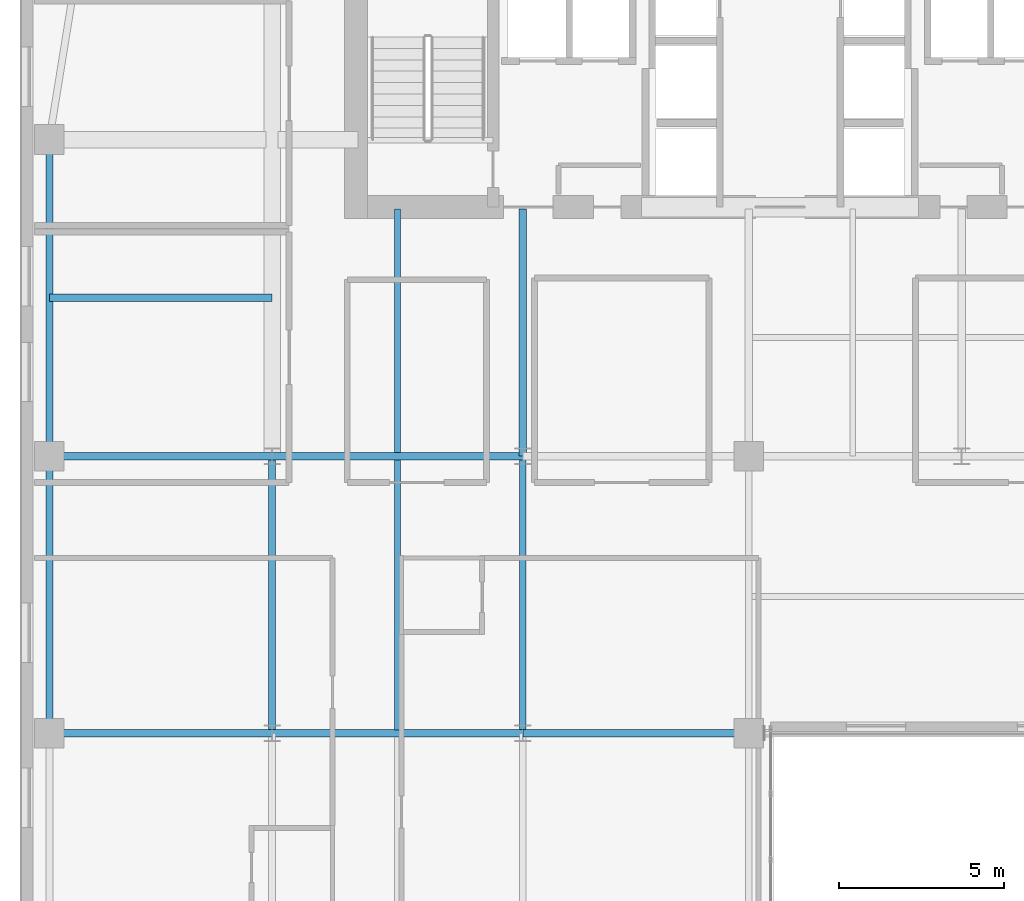
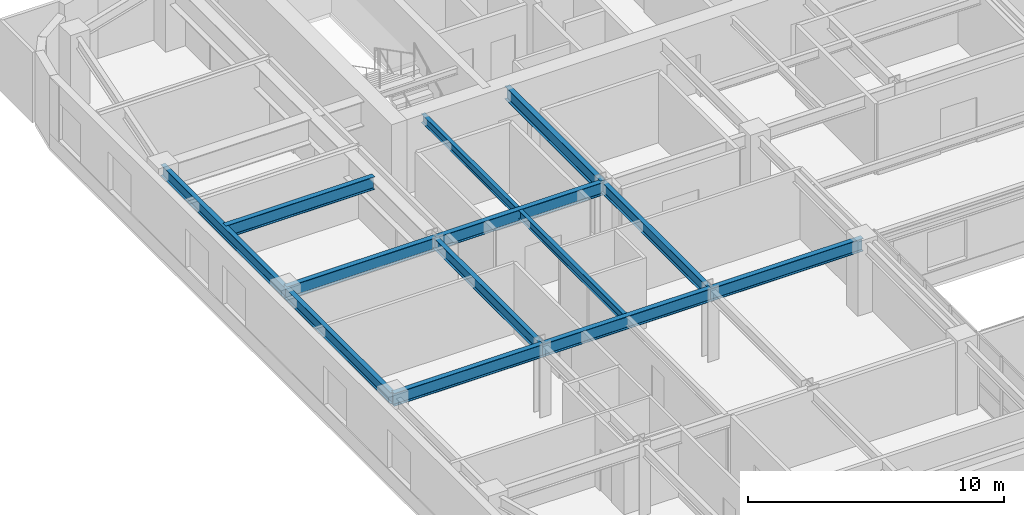
# One storey, part 5 of 31: 13 beams.
"""IFC4 building model written with IfcOpenShell, lengths in metres."""

from ifc_helpers import new_model, si_unit, direction, frame, origin, origin_2d, place, context, subcontext, project, spatial, i_section, extrude, source, transform, mapped, material, material_profile, profile_set, type_object, type_shapes, element, save


model = new_model("IFC4")

# Units and contexts
model_context = context("Model", 3, precision=1e-05, world=origin(), true_north=direction((0.0, 1.0)))
body_context = subcontext(model_context, "Body", "Model", "MODEL_VIEW")
ifc_project = project(units=[si_unit("LENGTHUNIT", "METRE"), si_unit("AREAUNIT", "SQUARE_METRE"), si_unit("VOLUMEUNIT", "CUBIC_METRE"), si_unit("PLANEANGLEUNIT", "RADIAN"), si_unit("MASSUNIT", "GRAM", prefix="KILO")], contexts=[model_context])

# Site, building, storey
site_placement = place(None, origin())
site = spatial("IfcSite", under=ifc_project, at=site_placement, CompositionType="ELEMENT")
building_placement = place(site_placement, origin())
building = spatial("IfcBuilding", under=site, at=building_placement, Name="Tolvann Quenvar Hotel", CompositionType="ELEMENT")
storey_placement = place(building_placement, frame((0.0, 0.0, 125.75)))
storey = spatial("IfcBuildingStorey", under=building, at=storey_placement, Name="L32", CompositionType="ELEMENT", Elevation=125.75)

# Beams
ifc_material = material(Name="Steel Grade 350", Category="steel")
ifc_material_profile_1 = material_profile(ifc_material, i_section(OverallWidth=0.22900390625, OverallDepth=0.612060546875, WebThickness=0.011962890625, FlangeThickness=0.01953125, FilletRadius=0.013916015625, at=origin_2d()), Name="610UB125")
ifc_profile_set_1 = profile_set([ifc_material_profile_1], Name="Steel Grade 350")
beam_type_1 = type_object("IfcBeamType", Name="BM_GIRD_610UB125", PredefinedType="BEAM", material=ifc_profile_set_1)
shared_shape_1 = source(origin(), body_context, "Body", "SweptSolid", [
    extrude(i_section(OverallWidth=0.22900390625, OverallDepth=0.612060546875, WebThickness=0.011962890625, FlangeThickness=0.01953125, FilletRadius=0.013916015625, at=origin_2d()), origin(), (0.0, 0.0, 1.0), 6.75),
])
for number, where, z_axis, x_axis, name in (
    (1, (0.85009765625, 16.0, 3.06396484375), (1.0, 0.0, 0.0), (0.0, 1.0, 0.0), "BM-L32-EW-4-B4-C4"),
    (2, (0.85009765625, 24.39990234375, 3.06396484375), (1.0, 0.0, 0.0), (0.0, 1.0, 0.0), "BM-L32-EW-5-B5-C5"),
    (3, (0.85009765625, 29.199951171875, 3.06396484375), (1.0, 0.0, 0.0), (0.0, 1.0, 0.0), "BM-L32-EW-BC29"),
):
    element("IfcBeam", number, at=place(storey_placement, frame(where, z_axis=z_axis, x_axis=x_axis)), inside=storey, type_object=beam_type_1, Name=name, PredefinedType="BEAM", context=body_context, shape_type="MappedRepresentation", body=[
        mapped(shared_shape_1, transform((0.0, 0.0, 0.0), x_axis=(1.0, 0.0, 0.0), y_axis=(0.0, 1.0, 0.0), z_axis=(0.0, 0.0, 1.0), scale=1.0)),
    ])
shared_shape_2 = source(origin(), body_context, "Body", "SweptSolid", [
    extrude(i_section(OverallWidth=0.22900390625, OverallDepth=0.612060546875, WebThickness=0.011962890625, FlangeThickness=0.01953125, FilletRadius=0.013916015625, at=origin_2d()), origin(), (0.0, 0.0, 1.0), 7.599853515625),
])
for number, where, z_axis, x_axis, name in (
    (4, (7.60009765625, 16.0, 3.06396484375), (1.0, 0.0, 0.0), (0.0, 1.0, 0.0), "BM-L32-EW-4-C4-D4"),
    (5, (7.60009765625, 24.39990234375, 3.06396484375), (1.0, 0.0, 0.0), (0.0, 1.0, 0.0), "BM-L32-EW-5-C5-D5"),
):
    element("IfcBeam", number, at=place(storey_placement, frame(where, z_axis=z_axis, x_axis=x_axis)), inside=storey, type_object=beam_type_1, Name=name, PredefinedType="BEAM", context=body_context, shape_type="MappedRepresentation", body=[
        mapped(shared_shape_2, transform((0.0, 0.0, 0.0), x_axis=(1.0, 0.0, 0.0), y_axis=(0.0, 1.0, 0.0), z_axis=(0.0, 0.0, 1.0), scale=1.0)),
    ])
shared_shape_3 = source(origin(), body_context, "Body", "SweptSolid", [
    extrude(i_section(OverallWidth=0.22900390625, OverallDepth=0.612060546875, WebThickness=0.011962890625, FlangeThickness=0.01953125, FilletRadius=0.013916015625, at=origin_2d()), origin(), (0.0, 0.0, 1.0), 6.85009765625),
])
beam_1_placement = place(storey_placement, frame((15.199951171875, 16.0, 3.06396484375), z_axis=(1.0, 0.0, 0.0), x_axis=(0.0, 1.0, 0.0)))
element("IfcBeam", 6, at=beam_1_placement, inside=storey, type_object=beam_type_1, Name="BM-L32-EW-4-D4-E4", PredefinedType="BEAM", context=body_context, shape_type="MappedRepresentation", body=[
    mapped(shared_shape_3, transform((0.0, 0.0, 0.0), x_axis=(1.0, 0.0, 0.0), y_axis=(0.0, 1.0, 0.0), z_axis=(0.0, 0.0, 1.0), scale=1.0)),
])
ifc_material_profile_2 = material_profile(ifc_material, i_section(OverallWidth=0.208984375, OverallDepth=0.528076171875, WebThickness=0.009521484375, FlangeThickness=0.01318359375, FilletRadius=0.013916015625, at=origin_2d()), Name="530UB82")
ifc_profile_set_2 = profile_set([ifc_material_profile_2], Name="Steel Grade 350")
beam_type_2 = type_object("IfcBeamType", Name="BM_SPAND_530UB82", PredefinedType="SPANDREL", material=ifc_profile_set_2)
shared_shape_4 = source(origin(), body_context, "Body", "SweptSolid", [
    extrude(i_section(OverallWidth=0.208984375, OverallDepth=0.528076171875, WebThickness=0.009521484375, FlangeThickness=0.01318359375, FilletRadius=0.013916015625, at=origin_2d()), origin(), (0.0, 0.0, 1.0), 8.39990234375),
])
beam_2_placement = place(storey_placement, frame((0.85009765625, 16.0, 3.10595703125), z_axis=(0.0, 1.0, 0.0), x_axis=(-1.0, 0.0, 0.0)))
element("IfcBeam", 7, at=beam_2_placement, inside=storey, type_object=beam_type_2, Name="BM-L32-NS-B4-B5", PredefinedType="SPANDREL", context=body_context, shape_type="MappedRepresentation", body=[
    mapped(shared_shape_4, transform((0.0, 0.0, 0.0), x_axis=(1.0, 0.0, 0.0), y_axis=(0.0, 1.0, 0.0), z_axis=(0.0, 0.0, 1.0), scale=1.0)),
])
ifc_material_profile_3 = material_profile(ifc_material, i_section(OverallWidth=0.208984375, OverallDepth=0.532958984375, WebThickness=0.01025390625, FlangeThickness=0.015625, FilletRadius=0.013916015625, at=origin_2d()), Name="530UB92")
ifc_profile_set_3 = profile_set([ifc_material_profile_3], Name="Steel Grade 350")
beam_type_3 = type_object("IfcBeamType", Name="BM_GIRD_530UB92", PredefinedType="BEAM", material=ifc_profile_set_3)
shared_shape_5 = source(origin(), body_context, "Body", "SweptSolid", [
    extrude(i_section(OverallWidth=0.208984375, OverallDepth=0.532958984375, WebThickness=0.01025390625, FlangeThickness=0.015625, FilletRadius=0.013916015625, at=origin_2d()), origin(), (0.0, 0.0, 1.0), 8.39990234375),
])
type_shapes(beam_type_3, [shared_shape_5])
for number, where, z_axis, x_axis, name in (
    (8, (7.60009765625, 16.0, 3.103515625), (0.0, 1.0, 0.0), (-1.0, 0.0, 0.0), "BM-L32-NS-C4-C5"),
    (9, (15.199951171875, 16.0, 3.103515625), (0.0, 1.0, 0.0), (-1.0, 0.0, 0.0), "BM-L32-NS-D4-D5"),
):
    element("IfcBeam", number, at=place(storey_placement, frame(where, z_axis=z_axis, x_axis=x_axis)), inside=storey, type_object=beam_type_3, Name=name, PredefinedType="BEAM", context=body_context, shape_type="MappedRepresentation", body=[
        mapped(shared_shape_5, transform((0.0, 0.0, 0.0), x_axis=(1.0, 0.0, 0.0), y_axis=(0.0, 1.0, 0.0), z_axis=(0.0, 0.0, 1.0), scale=1.0)),
    ])
shared_shape_6 = source(origin(), body_context, "Body", "SweptSolid", [
    extrude(i_section(OverallWidth=0.22900390625, OverallDepth=0.612060546875, WebThickness=0.011962890625, FlangeThickness=0.01953125, FilletRadius=0.013916015625, at=origin_2d()), origin(), (0.0, 0.0, 1.0), 7.5),
])
type_shapes(beam_type_1, [shared_shape_1, shared_shape_2, shared_shape_3, shared_shape_6])
beam_3_placement = place(storey_placement, frame((15.199951171875, 24.39990234375, 3.06396484375), z_axis=(0.0, 1.0, 0.0), x_axis=(-1.0, 0.0, 0.0)))
element("IfcBeam", 10, at=beam_3_placement, inside=storey, type_object=beam_type_1, Name="BM-L32-CORE-D5", PredefinedType="BEAM", context=body_context, shape_type="MappedRepresentation", body=[
    mapped(shared_shape_6, transform((0.0, 0.0, 0.0), x_axis=(1.0, 0.0, 0.0), y_axis=(0.0, 1.0, 0.0), z_axis=(0.0, 0.0, 1.0), scale=1.0)),
])
shared_shape_7 = source(origin(), body_context, "Body", "SweptSolid", [
    extrude(i_section(OverallWidth=0.208984375, OverallDepth=0.528076171875, WebThickness=0.009521484375, FlangeThickness=0.01318359375, FilletRadius=0.013916015625, at=origin_2d()), origin(), (0.0, 0.0, 1.0), 9.60009765625),
])
type_shapes(beam_type_2, [shared_shape_4, shared_shape_7])
beam_4_placement = place(storey_placement, frame((0.85009765625, 24.39990234375, 3.10595703125), z_axis=(0.0, 1.0, 0.0), x_axis=(-1.0, 0.0, 0.0)))
element("IfcBeam", 11, at=beam_4_placement, inside=storey, type_object=beam_type_2, Name="BM-L32-FLK-W1", PredefinedType="SPANDREL", context=body_context, shape_type="MappedRepresentation", body=[
    mapped(shared_shape_7, transform((0.0, 0.0, 0.0), x_axis=(1.0, 0.0, 0.0), y_axis=(0.0, 1.0, 0.0), z_axis=(0.0, 0.0, 1.0), scale=1.0)),
])
ifc_material_profile_4 = material_profile(ifc_material, i_section(OverallWidth=0.177978515625, OverallDepth=0.406005859375, WebThickness=0.0078125, FlangeThickness=0.0126953125, FilletRadius=0.011474609375, at=origin_2d()), Name="410UB60")
ifc_profile_set_4 = profile_set([ifc_material_profile_4], Name="Steel Grade 350")
beam_type_4 = type_object("IfcBeamType", Name="BM_JOIST_410UB60", PredefinedType="JOIST", material=ifc_profile_set_4)
shared_shape_8 = source(origin(), body_context, "Body", "SweptSolid", [
    extrude(i_section(OverallWidth=0.177978515625, OverallDepth=0.406005859375, WebThickness=0.0078125, FlangeThickness=0.0126953125, FilletRadius=0.011474609375, at=origin_2d()), origin(), (0.0, 0.0, 1.0), 8.18310546875),
])
beam_5_placement = place(storey_placement, frame((11.39990234375, 16.1083984375, 3.1669921875), z_axis=(0.0, 1.0, 0.0), x_axis=(-1.0, 0.0, 0.0)))
element("IfcBeam", 12, at=beam_5_placement, inside=storey, type_object=beam_type_4, Name="BJ-L32-114-160", PredefinedType="JOIST", context=body_context, shape_type="MappedRepresentation", body=[
    mapped(shared_shape_8, transform((0.0, 0.0, 0.0), x_axis=(1.0, 0.0, 0.0), y_axis=(0.0, 1.0, 0.0), z_axis=(0.0, 0.0, 1.0), scale=1.0)),
])
shared_shape_9 = source(origin(), body_context, "Body", "SweptSolid", [
    extrude(i_section(OverallWidth=0.177978515625, OverallDepth=0.406005859375, WebThickness=0.0078125, FlangeThickness=0.0126953125, FilletRadius=0.011474609375, at=origin_2d()), origin(), (0.0, 0.0, 1.0), 7.391357421875),
])
type_shapes(beam_type_4, [shared_shape_8, shared_shape_9])
beam_6_placement = place(storey_placement, frame((11.39990234375, 24.508544921875, 3.1669921875), z_axis=(0.0, 1.0, 0.0), x_axis=(-1.0, 0.0, 0.0)))
element("IfcBeam", 13, at=beam_6_placement, inside=storey, type_object=beam_type_4, Name="BJ-L32-114-244", PredefinedType="JOIST", context=body_context, shape_type="MappedRepresentation", body=[
    mapped(shared_shape_9, transform((0.0, 0.0, 0.0), x_axis=(1.0, 0.0, 0.0), y_axis=(0.0, 1.0, 0.0), z_axis=(0.0, 0.0, 1.0), scale=1.0)),
])

save(model, "model.ifc")
